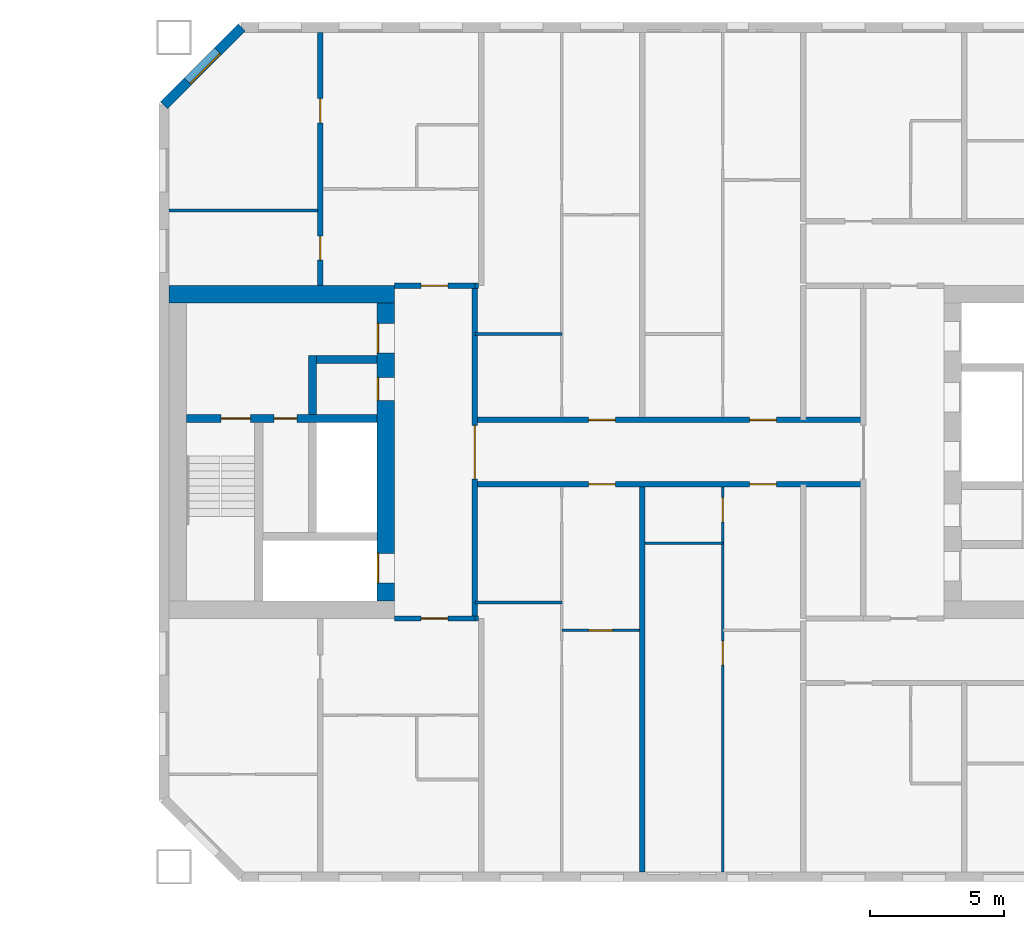
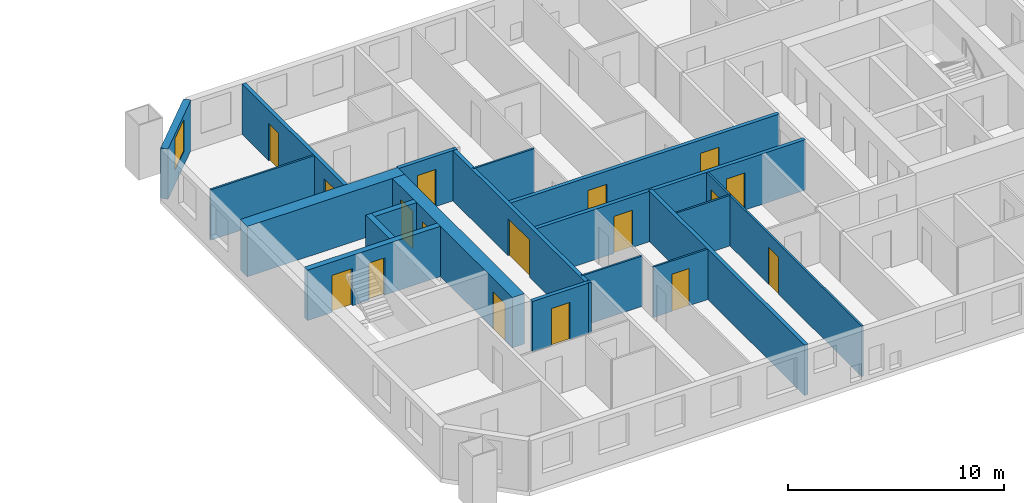
# One storey, part 10 of 16: 21 walls, 17 doors, 1 window, 18 openings.
"""IFC4 building model written with IfcOpenShell, lengths in metres."""

from ifc_helpers import new_model, si_unit, direction, frame, frame_2d, origin, place, context, subcontext, project, spatial, rectangle, extrude, material, layer, layer_set, type_object, element, fill, save


model = new_model("IFC4")

# Units and contexts
model_context = context("Model", 3, precision=1e-05, world=origin(), true_north=direction((0.0, 1.0)))
body_context = subcontext(model_context, "Body", "Model", "MODEL_VIEW")
ifc_project = project(units=[si_unit("LENGTHUNIT", "METRE"), si_unit("AREAUNIT", "SQUARE_METRE"), si_unit("VOLUMEUNIT", "CUBIC_METRE"), si_unit("PLANEANGLEUNIT", "RADIAN"), si_unit("MASSUNIT", "GRAM", prefix="KILO")], contexts=[model_context])

# Site, building, storey
site_placement = place(None, origin())
site = spatial("IfcSite", under=ifc_project, at=site_placement, CompositionType="ELEMENT")
building_placement = place(site_placement, origin())
building = spatial("IfcBuilding", under=site, at=building_placement, Name="Tuart Gate Housing", CompositionType="ELEMENT")
storey_placement = place(building_placement, frame((0.0, 0.0, 111.89990234375)))
storey = spatial("IfcBuildingStorey", under=building, at=storey_placement, Name="L31", CompositionType="ELEMENT", Elevation=111.89990234375)

# Wall, opening, window
ifc_material_1 = material(Name="Brick", Category="masonry")
ifc_layer_1 = layer(ifc_material_1, 0.360107421875)
ifc_layer_set_1 = layer_set([ifc_layer_1], Name="Brick pier and spandrel wall 360")
wall_type_1 = type_object("IfcWallType", Name="Brick pier and spandrel wall 360", PredefinedType="STANDARD", material=ifc_layer_set_1)
wall_1_placement = place(storey_placement, frame((134.07470703125, 85.820068359375, 0.0), z_axis=(0.0, 0.0, 1.0), x_axis=(-0.707106781187, -0.707106781187, 0.0)))
wall_1 = element("IfcWall", 1, at=wall_1_placement, inside=storey, type_object=wall_type_1, Name="External wall B-NW L31", PredefinedType="STANDARD", context=body_context, shape_type="SweptSolid", body=[
    extrude(rectangle(XDim=4.09375, YDim=0.360107421875, at=frame_2d((2.046875, 0.0))), origin(), (0.0, 0.0, 1.0), 2.85009765625),
])
opening_1_placement = place(wall_1_placement, frame((1.2470703125, 0.0, 0.800048828125)))
opening_1 = element("IfcOpeningElement", 2, at=opening_1_placement, cuts=wall_1, Name="Opening W1", PredefinedType="OPENING", context=body_context, shape_type="SweptSolid", body=[
    extrude(rectangle(XDim=1.60009765625, YDim=1.800048828125, at=frame_2d((0.800048828125, 0.89990234375))), frame((0.0, 0.18994140625, 0.0), z_axis=(0.0, -1.0, 0.0), x_axis=(1.0, 0.0, 0.0)), (0.0, 0.0, 1.0), 0.380126953125),
])
ifc_material_2 = material(Name="Aluminium frame with clear glass", Category="aluminium")
window_type = type_object("IfcWindowType", Name="Punched window 1600 x 1800", PartitioningType="SINGLE_PANEL", PredefinedType="WINDOW", material=ifc_material_2)
window_placement = place(opening_1_placement, origin())
window = element("IfcWindow", 3, at=window_placement, inside=storey, type_object=window_type, Name="Window W1", OverallHeight=1.800048828125, OverallWidth=1.60009765625, PartitioningType="SINGLE_PANEL", PredefinedType="WINDOW", context=body_context, shape_type="SweptSolid", body=[
    extrude(rectangle(XDim=1.60009765625, YDim=1.800048828125, at=frame_2d((0.800048828125, 0.89990234375))), frame((0.0, 0.150146484375, 0.0), z_axis=(0.0, -1.0, 0.0), x_axis=(1.0, 0.0, 0.0)), (0.0, 0.0, 1.0), 0.06005859375),
])
fill(opening_1, window)

# Wall, openings, doors
ifc_material_3 = material(Name="Concrete C50", Category="concrete")
ifc_layer_2 = layer(ifc_material_3, 0.300048828125)
ifc_layer_set_2 = layer_set([ifc_layer_2], Name="Core wall 300 C50")
wall_type_2 = type_object("IfcWallType", Name="Core wall 300 C50", PredefinedType="SHEAR", material=ifc_layer_set_2)
wall_2_placement = place(storey_placement, frame((139.110107421875, 71.25, 0.0), z_axis=(0.0, 0.0, 1.0), x_axis=(-1.0, 0.0, 0.0)))
wall_2 = element("IfcWall", 4, at=wall_2_placement, inside=storey, type_object=wall_type_2, Name="Core wall BG.2", PredefinedType="SHEAR", context=body_context, shape_type="SweptSolid", body=[
    extrude(rectangle(XDim=7.10009765625, YDim=0.300048828125, at=frame_2d((3.550048828125, 0.0))), origin(), (0.0, 0.0, 1.0), 2.85009765625),
])
opening_2_placement = place(wall_2_placement, frame((4.699951171875, 0.0, 0.0)))
opening_2 = element("IfcOpeningElement", 5, at=opening_2_placement, cuts=wall_2, Name="Opening D1256", PredefinedType="OPENING", context=body_context, shape_type="SweptSolid", body=[
    extrude(rectangle(XDim=1.10009765625, YDim=2.10009765625, at=frame_2d((0.550048828125, 1.050048828125))), frame((0.0, 0.159912109375, 0.0), z_axis=(0.0, -1.0, 0.0), x_axis=(1.0, 0.0, 0.0)), (0.0, 0.0, 1.0), 0.320068359375),
])
opening_3_placement = place(wall_2_placement, frame((2.97509765625, 0.0, 0.0)))
opening_3 = element("IfcOpeningElement", 6, at=opening_3_placement, cuts=wall_2, Name="Opening D1255", PredefinedType="OPENING", context=body_context, shape_type="SweptSolid", body=[
    extrude(rectangle(XDim=0.85009765625, YDim=2.10009765625, at=frame_2d((0.425048828125, 1.050048828125))), frame((0.0, 0.159912109375, 0.0), z_axis=(0.0, -1.0, 0.0), x_axis=(1.0, 0.0, 0.0)), (0.0, 0.0, 1.0), 0.320068359375),
])
ifc_material_4 = material(Name="Steel fire door", Category="steel")
door_type_1 = type_object("IfcDoorType", Name="Riser door 850 x 2100", OperationType="SINGLE_SWING_LEFT", PredefinedType="DOOR", material=ifc_material_4)
door_1_placement = place(opening_3_placement, origin())
door_1 = element("IfcDoor", 7, at=door_1_placement, inside=storey, type_object=door_type_1, Name="Service room door BG.W1", OperationType="SINGLE_SWING_LEFT", OverallHeight=2.10009765625, OverallWidth=0.85009765625, PredefinedType="DOOR", context=body_context, shape_type="SweptSolid", body=[
    extrude(rectangle(XDim=0.85009765625, YDim=2.10009765625, at=frame_2d((0.425048828125, 1.050048828125))), frame((0.0, 0.02490234375, 0.0), z_axis=(0.0, -1.0, 0.0), x_axis=(1.0, 0.0, 0.0)), (0.0, 0.0, 1.0), 0.050048828125),
])
fill(opening_3, door_1)
ifc_material_5 = material(Name="Steel fire door", Category="steel")
door_type_2 = type_object("IfcDoorType", Name="Stair door 1100 x 2100", OperationType="SINGLE_SWING_LEFT", PredefinedType="DOOR", material=ifc_material_5)
door_2_placement = place(opening_2_placement, origin())
door_2 = element("IfcDoor", 8, at=door_2_placement, inside=storey, type_object=door_type_2, Name="Stair door BG.SD", OperationType="SINGLE_SWING_LEFT", OverallHeight=2.10009765625, OverallWidth=1.10009765625, PredefinedType="DOOR", context=body_context, shape_type="SweptSolid", body=[
    extrude(rectangle(XDim=1.10009765625, YDim=2.10009765625, at=frame_2d((0.550048828125, 1.050048828125))), frame((0.0, 0.02490234375, 0.0), z_axis=(0.0, -1.0, 0.0), x_axis=(1.0, 0.0, 0.0)), (0.0, 0.0, 1.0), 0.050048828125),
])
fill(opening_2, door_2)

# Walls
wall_3_placement = place(storey_placement, frame((139.110107421875, 73.449951171875, 0.0), z_axis=(0.0, 0.0, 1.0), x_axis=(-1.0, 0.0, 0.0)))
element("IfcWall", 9, at=wall_3_placement, inside=storey, type_object=wall_type_2, Name="Core wall BG.3", PredefinedType="SHEAR", context=body_context, shape_type="SweptSolid", body=[
    extrude(rectangle(XDim=2.25, YDim=0.300048828125, at=frame_2d((1.125, 0.0))), origin(), (0.0, 0.0, 1.0), 2.85009765625),
])
wall_4_placement = place(storey_placement, frame((136.7099609375, 71.39990234375, 0.0), z_axis=(0.0, 0.0, 1.0), x_axis=(0.0, 1.0, 0.0)))
element("IfcWall", 10, at=wall_4_placement, inside=storey, type_object=wall_type_2, Name="Core wall BG.5", PredefinedType="SHEAR", context=body_context, shape_type="SweptSolid", body=[
    extrude(rectangle(XDim=2.2001953125, YDim=0.300048828125, at=frame_2d((1.10009765625, 0.0))), origin(), (0.0, 0.0, 1.0), 2.85009765625),
])

# Wall, openings, doors
ifc_material_6 = material(Name="Concrete C50", Category="concrete")
ifc_layer_3 = layer(ifc_material_6, 0.64990234375)
ifc_layer_set_3 = layer_set([ifc_layer_3], Name="Core wall 650 C50")
wall_type_3 = type_object("IfcWallType", Name="Core wall 650 C50", PredefinedType="SHEAR", material=ifc_layer_set_3)
wall_5_placement = place(storey_placement, frame((139.43505859375, 64.449951171875, 0.0), z_axis=(0.0, 0.0, 1.0), x_axis=(0.0, 1.0, 0.0)))
wall_5 = element("IfcWall", 11, at=wall_5_placement, inside=storey, type_object=wall_type_3, Name="Core wall BG front", PredefinedType="SHEAR", context=body_context, shape_type="SweptSolid", body=[
    extrude(rectangle(XDim=11.10009765625, YDim=0.64990234375, at=frame_2d((5.550048828125, 0.0))), origin(), (0.0, 0.0, 1.0), 2.85009765625),
])
opening_4_placement = place(wall_5_placement, frame((0.675048828125, 0.0, 0.0)))
opening_4 = element("IfcOpeningElement", 12, at=opening_4_placement, cuts=wall_5, Name="Opening LD-FB1", PredefinedType="OPENING", context=body_context, shape_type="SweptSolid", body=[
    extrude(rectangle(XDim=1.10009765625, YDim=2.10009765625, at=frame_2d((0.550048828125, 1.050048828125))), frame((0.0, 0.3349609375, 0.0), z_axis=(0.0, -1.0, 0.0), x_axis=(1.0, 0.0, 0.0)), (0.0, 0.0, 1.0), 0.669921875),
])
opening_5_placement = place(wall_5_placement, frame((9.25, 0.0, 0.0)))
opening_5 = element("IfcOpeningElement", 13, at=opening_5_placement, cuts=wall_5, Name="Opening D1259", PredefinedType="OPENING", context=body_context, shape_type="SweptSolid", body=[
    extrude(rectangle(XDim=1.10009765625, YDim=2.10009765625, at=frame_2d((0.550048828125, 1.050048828125))), frame((0.0, 0.3349609375, 0.0), z_axis=(0.0, -1.0, 0.0), x_axis=(1.0, 0.0, 0.0)), (0.0, 0.0, 1.0), 0.669921875),
])
opening_6_placement = place(wall_5_placement, frame((7.47509765625, 0.0, 0.0)))
opening_6 = element("IfcOpeningElement", 14, at=opening_6_placement, cuts=wall_5, Name="Opening D1260", PredefinedType="OPENING", context=body_context, shape_type="SweptSolid", body=[
    extrude(rectangle(XDim=0.85009765625, YDim=2.10009765625, at=frame_2d((0.425048828125, 1.050048828125))), frame((0.0, 0.3349609375, 0.0), z_axis=(0.0, -1.0, 0.0), x_axis=(1.0, 0.0, 0.0)), (0.0, 0.0, 1.0), 0.669921875),
])
ifc_material_7 = material(Name="Stainless steel", Category="steel")
door_type_3 = type_object("IfcDoorType", Name="Landing door 1100 x 2100", OperationType="DOUBLE_DOOR_SLIDING", PredefinedType="DOOR", material=ifc_material_7)
door_3_placement = place(opening_4_placement, origin())
door_3 = element("IfcDoor", 15, at=door_3_placement, inside=storey, type_object=door_type_3, Name="Lift landing door FB1", OperationType="DOUBLE_DOOR_SLIDING", OverallHeight=2.10009765625, OverallWidth=1.10009765625, PredefinedType="DOOR", context=body_context, shape_type="SweptSolid", body=[
    extrude(rectangle(XDim=1.10009765625, YDim=2.10009765625, at=frame_2d((0.550048828125, 1.050048828125))), frame((0.0, 0.31005859375, 0.0), z_axis=(0.0, -1.0, 0.0), x_axis=(1.0, 0.0, 0.0)), (0.0, 0.0, 1.0), 0.050048828125),
])
fill(opening_4, door_3)
ifc_material_8 = material(Name="Steel fire door", Category="steel")
door_type_4 = type_object("IfcDoorType", Name="Lobby door 1100 x 2100", OperationType="SINGLE_SWING_LEFT", PredefinedType="DOOR", material=ifc_material_8)
door_4_placement = place(opening_5_placement, origin())
door_4 = element("IfcDoor", 16, at=door_4_placement, inside=storey, type_object=door_type_4, Name="Lobby entry door BG.EN", OperationType="SINGLE_SWING_LEFT", OverallHeight=2.10009765625, OverallWidth=1.10009765625, PredefinedType="DOOR", context=body_context, shape_type="SweptSolid", body=[
    extrude(rectangle(XDim=1.10009765625, YDim=2.10009765625, at=frame_2d((0.550048828125, 1.050048828125))), frame((0.0, 0.31005859375, 0.0), z_axis=(0.0, -1.0, 0.0), x_axis=(1.0, 0.0, 0.0)), (0.0, 0.0, 1.0), 0.050048828125),
])
fill(opening_5, door_4)
ifc_material_9 = material(Name="Steel fire door", Category="steel")
door_type_5 = type_object("IfcDoorType", Name="Service door 850 x 2100", OperationType="SINGLE_SWING_LEFT", PredefinedType="DOOR", material=ifc_material_9)
door_5_placement = place(opening_6_placement, origin())
door_5 = element("IfcDoor", 17, at=door_5_placement, inside=storey, type_object=door_type_5, Name="Service room door BG.T1", OperationType="SINGLE_SWING_LEFT", OverallHeight=2.10009765625, OverallWidth=0.85009765625, PredefinedType="DOOR", context=body_context, shape_type="SweptSolid", body=[
    extrude(rectangle(XDim=0.85009765625, YDim=2.10009765625, at=frame_2d((0.425048828125, 1.050048828125))), frame((0.0, 0.31005859375, 0.0), z_axis=(0.0, -1.0, 0.0), x_axis=(1.0, 0.0, 0.0)), (0.0, 0.0, 1.0), 0.050048828125),
])
fill(opening_6, door_5)

# Wall
wall_6_placement = place(storey_placement, frame((139.760009765625, 75.875, 0.0), z_axis=(0.0, 0.0, 1.0), x_axis=(-1.0, 0.0, 0.0)))
element("IfcWall", 18, at=wall_6_placement, inside=storey, type_object=wall_type_3, Name="Core wall BG north", PredefinedType="SHEAR", context=body_context, shape_type="SweptSolid", body=[
    extrude(rectangle(XDim=8.39990234375, YDim=0.64990234375, at=frame_2d((4.199951171875, 0.0))), origin(), (0.0, 0.0, 1.0), 2.85009765625),
])

# Wall, openings, doors
ifc_material_10 = material(Name="Concrete masonry 15 MPa", Category="masonry")
ifc_layer_4 = layer(ifc_material_10, 0.199951171875)
ifc_layer_set_4 = layer_set([ifc_layer_4], Name="Corridor wall masonry 200")
wall_type_4 = type_object("IfcWallType", Name="Corridor wall masonry 200", PredefinedType="PARTITIONING", material=ifc_layer_set_4)
wall_7_placement = place(storey_placement, frame((142.760009765625, 68.800048828125, 0.0), z_axis=(0.0, 0.0, 1.0), x_axis=(1.0, 0.0, 0.0)))
wall_7 = element("IfcWall", 19, at=wall_7_placement, inside=storey, type_object=wall_type_4, Name="Corridor wall masonry 200", PredefinedType="PARTITIONING", context=body_context, shape_type="SweptSolid", body=[
    extrude(rectangle(XDim=14.47998046875, YDim=0.199951171875, at=frame_2d((7.239990234375, 0.0))), origin(), (0.0, 0.0, 1.0), 2.85009765625),
])
opening_7_placement = place(wall_7_placement, frame((4.239990234375, 0.0, 0.0)))
opening_7 = element("IfcOpeningElement", 20, at=opening_7_placement, cuts=wall_7, Name="Opening D1267", PredefinedType="OPENING", context=body_context, shape_type="SweptSolid", body=[
    extrude(rectangle(XDim=1.0, YDim=2.10009765625, at=frame_2d((0.5, 1.050048828125))), frame((0.0, 0.10986328125, 0.0), z_axis=(0.0, -1.0, 0.0), x_axis=(1.0, 0.0, 0.0)), (0.0, 0.0, 1.0), 0.219970703125),
])
opening_8_placement = place(wall_7_placement, frame((10.239990234375, 0.0, 0.0)))
opening_8 = element("IfcOpeningElement", 21, at=opening_8_placement, cuts=wall_7, Name="Opening D1268", PredefinedType="OPENING", context=body_context, shape_type="SweptSolid", body=[
    extrude(rectangle(XDim=1.0, YDim=2.10009765625, at=frame_2d((0.5, 1.050048828125))), frame((0.0, 0.10986328125, 0.0), z_axis=(0.0, -1.0, 0.0), x_axis=(1.0, 0.0, 0.0)), (0.0, 0.0, 1.0), 0.219970703125),
])
ifc_material_11 = material(Name="Timber door leaf in steel frame", Category="steel")
door_type_6 = type_object("IfcDoorType", Name="Flat entrance door 1000 RH", OperationType="SINGLE_SWING_RIGHT", PredefinedType="DOOR", material=ifc_material_11)
door_6_placement = place(opening_7_placement, frame((1.0, 0.0, 0.0), z_axis=(0.0, 0.0, 1.0), x_axis=(-1.0, 0.0, 0.0)))
door_6 = element("IfcDoor", 22, at=door_6_placement, inside=storey, type_object=door_type_6, Name="Flat entrance door", OperationType="SINGLE_SWING_RIGHT", OverallHeight=2.10009765625, OverallWidth=1.0, PredefinedType="DOOR", context=body_context, shape_type="SweptSolid", body=[
    extrude(rectangle(XDim=1.0, YDim=2.10009765625, at=frame_2d((0.5, 1.050048828125))), frame((0.0, 0.025146484375, 0.0), z_axis=(0.0, -1.0, 0.0), x_axis=(1.0, 0.0, 0.0)), (0.0, 0.0, 1.0), 0.050048828125),
])
fill(opening_7, door_6)
door_7_placement = place(opening_8_placement, frame((1.0, 0.0, 0.0), z_axis=(0.0, 0.0, 1.0), x_axis=(-1.0, 0.0, 0.0)))
door_7 = element("IfcDoor", 23, at=door_7_placement, inside=storey, type_object=door_type_6, Name="Flat entrance door", OperationType="SINGLE_SWING_RIGHT", OverallHeight=2.10009765625, OverallWidth=1.0, PredefinedType="DOOR", context=body_context, shape_type="SweptSolid", body=[
    extrude(rectangle(XDim=1.0, YDim=2.10009765625, at=frame_2d((0.5, 1.050048828125))), frame((0.0, 0.025146484375, 0.0), z_axis=(0.0, -1.0, 0.0), x_axis=(1.0, 0.0, 0.0)), (0.0, 0.0, 1.0), 0.050048828125),
])
fill(opening_8, door_7)

wall_8_placement = place(storey_placement, frame((142.760009765625, 71.199951171875, 0.0), z_axis=(0.0, 0.0, 1.0), x_axis=(1.0, 0.0, 0.0)))
wall_8 = element("IfcWall", 24, at=wall_8_placement, inside=storey, type_object=wall_type_4, Name="Corridor wall masonry 200", PredefinedType="PARTITIONING", context=body_context, shape_type="SweptSolid", body=[
    extrude(rectangle(XDim=14.47998046875, YDim=0.199951171875, at=frame_2d((7.239990234375, 0.0))), origin(), (0.0, 0.0, 1.0), 2.85009765625),
])
opening_9_placement = place(wall_8_placement, frame((4.239990234375, 0.0, 0.0)))
opening_9 = element("IfcOpeningElement", 25, at=opening_9_placement, cuts=wall_8, Name="Opening D1257", PredefinedType="OPENING", context=body_context, shape_type="SweptSolid", body=[
    extrude(rectangle(XDim=1.0, YDim=2.10009765625, at=frame_2d((0.5, 1.050048828125))), frame((0.0, 0.10986328125, 0.0), z_axis=(0.0, -1.0, 0.0), x_axis=(1.0, 0.0, 0.0)), (0.0, 0.0, 1.0), 0.219970703125),
])
opening_10_placement = place(wall_8_placement, frame((10.239990234375, 0.0, 0.0)))
opening_10 = element("IfcOpeningElement", 26, at=opening_10_placement, cuts=wall_8, Name="Opening D1258", PredefinedType="OPENING", context=body_context, shape_type="SweptSolid", body=[
    extrude(rectangle(XDim=1.0, YDim=2.10009765625, at=frame_2d((0.5, 1.050048828125))), frame((0.0, 0.10986328125, 0.0), z_axis=(0.0, -1.0, 0.0), x_axis=(1.0, 0.0, 0.0)), (0.0, 0.0, 1.0), 0.219970703125),
])
ifc_material_12 = material(Name="Timber door leaf in steel frame", Category="steel")
door_type_7 = type_object("IfcDoorType", Name="Flat entrance door 1000", OperationType="SINGLE_SWING_LEFT", PredefinedType="DOOR", material=ifc_material_12)
door_8_placement = place(opening_9_placement, origin())
door_8 = element("IfcDoor", 27, at=door_8_placement, inside=storey, type_object=door_type_7, Name="Flat entrance door", OperationType="SINGLE_SWING_LEFT", OverallHeight=2.10009765625, OverallWidth=1.0, PredefinedType="DOOR", context=body_context, shape_type="SweptSolid", body=[
    extrude(rectangle(XDim=1.0, YDim=2.10009765625, at=frame_2d((0.5, 1.050048828125))), frame((0.0, 0.02490234375, 0.0), z_axis=(0.0, -1.0, 0.0), x_axis=(1.0, 0.0, 0.0)), (0.0, 0.0, 1.0), 0.050048828125),
])
fill(opening_9, door_8)
door_9_placement = place(opening_10_placement, origin())
door_9 = element("IfcDoor", 28, at=door_9_placement, inside=storey, type_object=door_type_7, Name="Flat entrance door", OperationType="SINGLE_SWING_LEFT", OverallHeight=2.10009765625, OverallWidth=1.0, PredefinedType="DOOR", context=body_context, shape_type="SweptSolid", body=[
    extrude(rectangle(XDim=1.0, YDim=2.10009765625, at=frame_2d((0.5, 1.050048828125))), frame((0.0, 0.02490234375, 0.0), z_axis=(0.0, -1.0, 0.0), x_axis=(1.0, 0.0, 0.0)), (0.0, 0.0, 1.0), 0.050048828125),
])
fill(opening_10, door_9)

# Wall, opening, door
ifc_material_13 = material(Name="Concrete masonry 15 MPa", Category="masonry")
ifc_layer_5 = layer(ifc_material_13, 0.199951171875)
ifc_layer_set_5 = layer_set([ifc_layer_5], Name="Enclosure wall masonry 200")
wall_type_5 = type_object("IfcWallType", Name="Enclosure wall masonry 200", PredefinedType="PARTITIONING", material=ifc_layer_set_5)
wall_9_placement = place(storey_placement, frame((139.760009765625, 63.800048828125, 0.0), z_axis=(0.0, 0.0, 1.0), x_axis=(1.0, 0.0, 0.0)))
wall_9 = element("IfcWall", 29, at=wall_9_placement, inside=storey, type_object=wall_type_5, Name="Enclosure wall masonry 200", PredefinedType="PARTITIONING", context=body_context, shape_type="SweptSolid", body=[
    extrude(rectangle(XDim=3.0, YDim=0.199951171875, at=frame_2d((1.5, 0.0))), origin(), (0.0, 0.0, 1.0), 2.85009765625),
])
opening_11_placement = place(wall_9_placement, frame((1.0, 0.0, 0.0)))
opening_11 = element("IfcOpeningElement", 30, at=opening_11_placement, cuts=wall_9, Name="Opening D1272", PredefinedType="OPENING", context=body_context, shape_type="SweptSolid", body=[
    extrude(rectangle(XDim=1.0, YDim=2.10009765625, at=frame_2d((0.5, 1.050048828125))), frame((0.0, 0.10986328125, 0.0), z_axis=(0.0, -1.0, 0.0), x_axis=(1.0, 0.0, 0.0)), (0.0, 0.0, 1.0), 0.219970703125),
])
door_10_placement = place(opening_11_placement, frame((1.0, 0.0, 0.0), z_axis=(0.0, 0.0, 1.0), x_axis=(-1.0, 0.0, 0.0)))
door_10 = element("IfcDoor", 31, at=door_10_placement, inside=storey, type_object=door_type_7, Name="Flat entrance door", OperationType="SINGLE_SWING_LEFT", OverallHeight=2.10009765625, OverallWidth=1.0, PredefinedType="DOOR", context=body_context, shape_type="SweptSolid", body=[
    extrude(rectangle(XDim=1.0, YDim=2.10009765625, at=frame_2d((0.5, 1.050048828125))), frame((0.0, 0.025146484375, 0.0), z_axis=(0.0, -1.0, 0.0), x_axis=(1.0, 0.0, 0.0)), (0.0, 0.0, 1.0), 0.050048828125),
])
fill(opening_11, door_10)

wall_10_placement = place(storey_placement, frame((139.760009765625, 76.199951171875, 0.0), z_axis=(0.0, 0.0, 1.0), x_axis=(1.0, 0.0, 0.0)))
wall_10 = element("IfcWall", 32, at=wall_10_placement, inside=storey, type_object=wall_type_5, Name="Enclosure wall masonry 200", PredefinedType="PARTITIONING", context=body_context, shape_type="SweptSolid", body=[
    extrude(rectangle(XDim=3.0, YDim=0.199951171875, at=frame_2d((1.5, 0.0))), origin(), (0.0, 0.0, 1.0), 2.85009765625),
])
opening_12_placement = place(wall_10_placement, frame((1.0, 0.0, 0.0)))
opening_12 = element("IfcOpeningElement", 33, at=opening_12_placement, cuts=wall_10, Name="Opening D1253", PredefinedType="OPENING", context=body_context, shape_type="SweptSolid", body=[
    extrude(rectangle(XDim=1.0, YDim=2.10009765625, at=frame_2d((0.5, 1.050048828125))), frame((0.0, 0.10986328125, 0.0), z_axis=(0.0, -1.0, 0.0), x_axis=(1.0, 0.0, 0.0)), (0.0, 0.0, 1.0), 0.219970703125),
])
door_11_placement = place(opening_12_placement, origin())
door_11 = element("IfcDoor", 34, at=door_11_placement, inside=storey, type_object=door_type_6, Name="Flat entrance door", OperationType="SINGLE_SWING_RIGHT", OverallHeight=2.10009765625, OverallWidth=1.0, PredefinedType="DOOR", context=body_context, shape_type="SweptSolid", body=[
    extrude(rectangle(XDim=1.0, YDim=2.10009765625, at=frame_2d((0.5, 1.050048828125))), frame((0.0, 0.02490234375, 0.0), z_axis=(0.0, -1.0, 0.0), x_axis=(1.0, 0.0, 0.0)), (0.0, 0.0, 1.0), 0.050048828125),
])
fill(opening_12, door_11)

ifc_material_14 = material(Name="Plasterboard partition")
ifc_layer_6 = layer(ifc_material_14, 0.199951171875)
ifc_layer_set_6 = layer_set([ifc_layer_6], Name="Lobby wall 200")
wall_type_6 = type_object("IfcWallType", Name="Lobby wall 200", PredefinedType="PARTITIONING", material=ifc_layer_set_6)
wall_11_placement = place(storey_placement, frame((142.760009765625, 63.89990234375, 0.0), z_axis=(0.0, 0.0, 1.0), x_axis=(0.0, 1.0, 0.0)))
wall_11 = element("IfcWall", 35, at=wall_11_placement, inside=storey, type_object=wall_type_6, Name="Lift lobby wall BG", PredefinedType="PARTITIONING", context=body_context, shape_type="SweptSolid", body=[
    extrude(rectangle(XDim=12.2001953125, YDim=0.199951171875, at=frame_2d((6.10009765625, 0.0))), origin(), (0.0, 0.0, 1.0), 2.85009765625),
])
opening_13_placement = place(wall_11_placement, frame((5.10009765625, 0.0, 0.0)))
opening_13 = element("IfcOpeningElement", 36, at=opening_13_placement, cuts=wall_11, Name="Opening D1261", PredefinedType="OPENING", context=body_context, shape_type="SweptSolid", body=[
    extrude(rectangle(XDim=2.0, YDim=2.10009765625, at=frame_2d((1.0, 1.050048828125))), frame((0.0, 0.10986328125, 0.0), z_axis=(0.0, -1.0, 0.0), x_axis=(1.0, 0.0, 0.0)), (0.0, 0.0, 1.0), 0.219970703125),
])
ifc_material_15 = material(Name="Steel fire door", Category="steel")
door_type_8 = type_object("IfcDoorType", Name="Smoke door 2000 x 2100", OperationType="DOUBLE_DOOR_SINGLE_SWING", PredefinedType="DOOR", material=ifc_material_15)
door_12_placement = place(opening_13_placement, origin())
door_12 = element("IfcDoor", 37, at=door_12_placement, inside=storey, type_object=door_type_8, Name="Lift lobby smoke door BG", OperationType="DOUBLE_DOOR_SINGLE_SWING", OverallHeight=2.10009765625, OverallWidth=2.0, PredefinedType="DOOR", context=body_context, shape_type="SweptSolid", body=[
    extrude(rectangle(XDim=2.0, YDim=2.10009765625, at=frame_2d((1.0, 1.050048828125))), frame((0.0, 0.02490234375, 0.0), z_axis=(0.0, -1.0, 0.0), x_axis=(1.0, 0.0, 0.0)), (0.0, 0.0, 1.0), 0.050048828125),
])
fill(opening_13, door_12)

ifc_material_16 = material(Name="Gypsum board on steel studs", Category="steel")
ifc_layer_7 = layer(ifc_material_16, 0.10009765625)
ifc_layer_set_7 = layer_set([ifc_layer_7], Name="Partition 100")
wall_type_7 = type_object("IfcWallType", Name="Partition 100", PredefinedType="PARTITIONING", material=ifc_layer_set_7)
wall_12_placement = place(storey_placement, frame((146.0, 63.360107421875, 0.0), z_axis=(0.0, 0.0, 1.0), x_axis=(1.0, 0.0, 0.0)))
wall_12 = element("IfcWall", 38, at=wall_12_placement, inside=storey, type_object=wall_type_7, Name="Partition 100", PredefinedType="PARTITIONING", context=body_context, shape_type="SweptSolid", body=[
    extrude(rectangle(XDim=2.89990234375, YDim=0.10009765625, at=frame_2d((1.449951171875, 0.0))), origin(), (0.0, 0.0, 1.0), 2.85009765625),
])
opening_14_placement = place(wall_12_placement, frame((1.0, 0.0, 0.0)))
opening_14 = element("IfcOpeningElement", 39, at=opening_14_placement, cuts=wall_12, Name="Opening D1274", PredefinedType="OPENING", context=body_context, shape_type="SweptSolid", body=[
    extrude(rectangle(XDim=0.89990234375, YDim=2.10009765625, at=frame_2d((0.449951171875, 1.050048828125))), frame((0.0, 0.06005859375, 0.0), z_axis=(0.0, -1.0, 0.0), x_axis=(1.0, 0.0, 0.0)), (0.0, 0.0, 1.0), 0.1201171875),
])
ifc_material_17 = material(Name="Timber door leaf in steel frame", Category="steel")
door_type_9 = type_object("IfcDoorType", Name="Internal door 900", OperationType="SINGLE_SWING_LEFT", PredefinedType="DOOR", material=ifc_material_17)
door_13_placement = place(opening_14_placement, origin())
door_13 = element("IfcDoor", 40, at=door_13_placement, inside=storey, type_object=door_type_9, Name="Internal door", OperationType="SINGLE_SWING_LEFT", OverallHeight=2.10009765625, OverallWidth=0.89990234375, PredefinedType="DOOR", context=body_context, shape_type="SweptSolid", body=[
    extrude(rectangle(XDim=0.89990234375, YDim=2.10009765625, at=frame_2d((0.449951171875, 1.050048828125))), frame((0.0, 0.02490234375, 0.0), z_axis=(0.0, -1.0, 0.0), x_axis=(1.0, 0.0, 0.0)), (0.0, 0.0, 1.0), 0.050048828125),
])
fill(opening_14, door_13)

# Walls
wall_13_placement = place(storey_placement, frame((142.760009765625, 64.39990234375, 0.0), z_axis=(0.0, 0.0, 1.0), x_axis=(1.0, 0.0, 0.0)))
element("IfcWall", 41, at=wall_13_placement, inside=storey, type_object=wall_type_7, Name="Partition 100", PredefinedType="PARTITIONING", context=body_context, shape_type="SweptSolid", body=[
    extrude(rectangle(XDim=3.239990234375, YDim=0.10009765625, at=frame_2d((1.6201171875, 0.0))), origin(), (0.0, 0.0, 1.0), 2.85009765625),
])
wall_14_placement = place(storey_placement, frame((149.10009765625, 66.60009765625, 0.0), z_axis=(0.0, 0.0, 1.0), x_axis=(1.0, 0.0, 0.0)))
element("IfcWall", 42, at=wall_14_placement, inside=storey, type_object=wall_type_7, Name="Partition 100", PredefinedType="PARTITIONING", context=body_context, shape_type="SweptSolid", body=[
    extrude(rectangle(XDim=2.89990234375, YDim=0.10009765625, at=frame_2d((1.449951171875, 0.0))), origin(), (0.0, 0.0, 1.0), 2.85009765625),
])
wall_15_placement = place(storey_placement, frame((142.760009765625, 74.39990234375, 0.0), z_axis=(0.0, 0.0, 1.0), x_axis=(1.0, 0.0, 0.0)))
element("IfcWall", 43, at=wall_15_placement, inside=storey, type_object=wall_type_7, Name="Partition 100", PredefinedType="PARTITIONING", context=body_context, shape_type="SweptSolid", body=[
    extrude(rectangle(XDim=3.239990234375, YDim=0.10009765625, at=frame_2d((1.6201171875, 0.0))), origin(), (0.0, 0.0, 1.0), 2.85009765625),
])
wall_16_placement = place(storey_placement, frame((131.360107421875, 79.0, 0.0), z_axis=(0.0, 0.0, 1.0), x_axis=(1.0, 0.0, 0.0)))
element("IfcWall", 44, at=wall_16_placement, inside=storey, type_object=wall_type_7, Name="Partition 100", PredefinedType="PARTITIONING", context=body_context, shape_type="SweptSolid", body=[
    extrude(rectangle(XDim=5.539794921875, YDim=0.10009765625, at=frame_2d((2.77001953125, 0.0))), origin(), (0.0, 0.0, 1.0), 2.85009765625),
])

# Wall, openings, doors
wall_17_placement = place(storey_placement, frame((152.0, 54.360107421875, 0.0), z_axis=(0.0, 0.0, 1.0), x_axis=(0.0, 1.0, 0.0)))
wall_17 = element("IfcWall", 45, at=wall_17_placement, inside=storey, type_object=wall_type_7, Name="Partition 100", PredefinedType="PARTITIONING", context=body_context, shape_type="SweptSolid", body=[
    extrude(rectangle(XDim=14.33984375, YDim=0.10009765625, at=frame_2d((7.169921875, 0.0))), origin(), (0.0, 0.0, 1.0), 2.85009765625),
])
opening_15_placement = place(wall_17_placement, frame((7.699951171875, 0.0, 0.0)))
opening_15 = element("IfcOpeningElement", 46, at=opening_15_placement, cuts=wall_17, Name="Opening D1279", PredefinedType="OPENING", context=body_context, shape_type="SweptSolid", body=[
    extrude(rectangle(XDim=0.89990234375, YDim=2.10009765625, at=frame_2d((0.449951171875, 1.050048828125))), frame((0.0, 0.06005859375, 0.0), z_axis=(0.0, -1.0, 0.0), x_axis=(1.0, 0.0, 0.0)), (0.0, 0.0, 1.0), 0.1201171875),
])
opening_16_placement = place(wall_17_placement, frame((13.0400390625, 0.0, 0.0)))
opening_16 = element("IfcOpeningElement", 47, at=opening_16_placement, cuts=wall_17, Name="Opening D1278", PredefinedType="OPENING", context=body_context, shape_type="SweptSolid", body=[
    extrude(rectangle(XDim=0.89990234375, YDim=2.10009765625, at=frame_2d((0.449951171875, 1.050048828125))), frame((0.0, 0.06005859375, 0.0), z_axis=(0.0, -1.0, 0.0), x_axis=(1.0, 0.0, 0.0)), (0.0, 0.0, 1.0), 0.1201171875),
])
ifc_material_18 = material(Name="Timber door leaf in steel frame", Category="steel")
door_type_10 = type_object("IfcDoorType", Name="Bathroom door 900 RH", OperationType="SINGLE_SWING_RIGHT", PredefinedType="DOOR", material=ifc_material_18)
door_14_placement = place(opening_16_placement, origin())
door_14 = element("IfcDoor", 48, at=door_14_placement, inside=storey, type_object=door_type_10, Name="Bathroom door", OperationType="SINGLE_SWING_RIGHT", OverallHeight=2.10009765625, OverallWidth=0.89990234375, PredefinedType="DOOR", context=body_context, shape_type="SweptSolid", body=[
    extrude(rectangle(XDim=0.89990234375, YDim=2.10009765625, at=frame_2d((0.449951171875, 1.050048828125))), frame((0.0, 0.02490234375, 0.0), z_axis=(0.0, -1.0, 0.0), x_axis=(1.0, 0.0, 0.0)), (0.0, 0.0, 1.0), 0.050048828125),
])
fill(opening_16, door_14)
ifc_material_19 = material(Name="Timber door leaf in steel frame", Category="steel")
door_type_11 = type_object("IfcDoorType", Name="Internal door 900 RH", OperationType="SINGLE_SWING_RIGHT", PredefinedType="DOOR", material=ifc_material_19)
door_15_placement = place(opening_15_placement, origin())
door_15 = element("IfcDoor", 49, at=door_15_placement, inside=storey, type_object=door_type_11, Name="Internal door", OperationType="SINGLE_SWING_RIGHT", OverallHeight=2.10009765625, OverallWidth=0.89990234375, PredefinedType="DOOR", context=body_context, shape_type="SweptSolid", body=[
    extrude(rectangle(XDim=0.89990234375, YDim=2.10009765625, at=frame_2d((0.449951171875, 1.050048828125))), frame((0.0, 0.02490234375, 0.0), z_axis=(0.0, -1.0, 0.0), x_axis=(1.0, 0.0, 0.0)), (0.0, 0.0, 1.0), 0.050048828125),
])
fill(opening_15, door_15)

ifc_material_20 = material(Name="Concrete C40", Category="concrete")
ifc_layer_8 = layer(ifc_material_20, 0.199951171875)
ifc_layer_set_8 = layer_set([ifc_layer_8], Name="Party wall concrete C40 200")
wall_type_8 = type_object("IfcWallType", Name="Party wall concrete C40 200", PredefinedType="SOLIDWALL", material=ifc_layer_set_8)
wall_18_placement = place(storey_placement, frame((137.0, 76.199951171875, 0.0), z_axis=(0.0, 0.0, 1.0), x_axis=(0.0, 1.0, 0.0)))
wall_18 = element("IfcWall", 50, at=wall_18_placement, inside=storey, type_object=wall_type_8, Name="Party wall concrete C40 200", PredefinedType="SOLIDWALL", context=body_context, shape_type="SweptSolid", body=[
    extrude(rectangle(XDim=9.43994140625, YDim=0.199951171875, at=frame_2d((4.719970703125, 0.0))), origin(), (0.0, 0.0, 1.0), 2.85009765625),
])
opening_17_placement = place(wall_18_placement, frame((6.070068359375, 0.0, 0.0)))
opening_17 = element("IfcOpeningElement", 51, at=opening_17_placement, cuts=wall_18, Name="Opening D1237", PredefinedType="OPENING", context=body_context, shape_type="SweptSolid", body=[
    extrude(rectangle(XDim=0.89990234375, YDim=2.10009765625, at=frame_2d((0.449951171875, 1.050048828125))), frame((0.0, 0.10986328125, 0.0), z_axis=(0.0, -1.0, 0.0), x_axis=(1.0, 0.0, 0.0)), (0.0, 0.0, 1.0), 0.219970703125),
])
opening_18_placement = place(wall_18_placement, frame((0.949951171875, 0.0, 0.0)))
opening_18 = element("IfcOpeningElement", 52, at=opening_18_placement, cuts=wall_18, Name="Opening D1238", PredefinedType="OPENING", context=body_context, shape_type="SweptSolid", body=[
    extrude(rectangle(XDim=0.89990234375, YDim=2.10009765625, at=frame_2d((0.449951171875, 1.050048828125))), frame((0.0, 0.10986328125, 0.0), z_axis=(0.0, -1.0, 0.0), x_axis=(1.0, 0.0, 0.0)), (0.0, 0.0, 1.0), 0.219970703125),
])
door_16_placement = place(opening_18_placement, origin())
door_16 = element("IfcDoor", 53, at=door_16_placement, inside=storey, type_object=door_type_9, Name="Internal door", OperationType="SINGLE_SWING_LEFT", OverallHeight=2.10009765625, OverallWidth=0.89990234375, PredefinedType="DOOR", context=body_context, shape_type="SweptSolid", body=[
    extrude(rectangle(XDim=0.89990234375, YDim=2.10009765625, at=frame_2d((0.449951171875, 1.050048828125))), frame((0.0, 0.02490234375, 0.0), z_axis=(0.0, -1.0, 0.0), x_axis=(1.0, 0.0, 0.0)), (0.0, 0.0, 1.0), 0.050048828125),
])
fill(opening_18, door_16)
door_17_placement = place(opening_17_placement, origin())
door_17 = element("IfcDoor", 54, at=door_17_placement, inside=storey, type_object=door_type_11, Name="Internal door", OperationType="SINGLE_SWING_RIGHT", OverallHeight=2.10009765625, OverallWidth=0.89990234375, PredefinedType="DOOR", context=body_context, shape_type="SweptSolid", body=[
    extrude(rectangle(XDim=0.89990234375, YDim=2.10009765625, at=frame_2d((0.449951171875, 1.050048828125))), frame((0.0, 0.02490234375, 0.0), z_axis=(0.0, -1.0, 0.0), x_axis=(1.0, 0.0, 0.0)), (0.0, 0.0, 1.0), 0.050048828125),
])
fill(opening_17, door_17)

# Walls
wall_19_placement = place(storey_placement, frame((149.0, 54.360107421875, 0.0), z_axis=(0.0, 0.0, 1.0), x_axis=(0.0, 1.0, 0.0)))
element("IfcWall", 55, at=wall_19_placement, inside=storey, type_object=wall_type_8, Name="Party wall concrete C40 200", PredefinedType="SOLIDWALL", context=body_context, shape_type="SweptSolid", body=[
    extrude(rectangle(XDim=14.43994140625, YDim=0.199951171875, at=frame_2d((7.219970703125, 0.0))), origin(), (0.0, 0.0, 1.0), 2.85009765625),
])
ifc_material_21 = material(Name="Concrete masonry 15 MPa", Category="masonry")
ifc_layer_9 = layer(ifc_material_21, 0.199951171875)
ifc_layer_set_9 = layer_set([ifc_layer_9], Name="Party wall masonry 200")
wall_type_9 = type_object("IfcWallType", Name="Party wall masonry 200", PredefinedType="PARTITIONING", material=ifc_layer_set_9)
for number, where, z_axis, x_axis, name in (
    (56, (142.760009765625, 63.800048828125, 0.0), (0.0, 0.0, 1.0), (1.0, 0.0, 0.0), "Party wall masonry 200"),
    (57, (142.760009765625, 76.199951171875, 0.0), (0.0, 0.0, 1.0), (1.0, 0.0, 0.0), "Party wall masonry 200"),
):
    element("IfcWall", number, at=place(storey_placement, frame(where, z_axis=z_axis, x_axis=x_axis)), inside=storey, type_object=wall_type_9, Name=name, PredefinedType="PARTITIONING", context=body_context, shape_type="SweptSolid", body=[
        extrude(rectangle(XDim=0.139892578125, YDim=0.199951171875, at=frame_2d((0.06982421875, 0.0))), origin(), (0.0, 0.0, 1.0), 2.85009765625),
    ])

save(model, "model.ifc")
